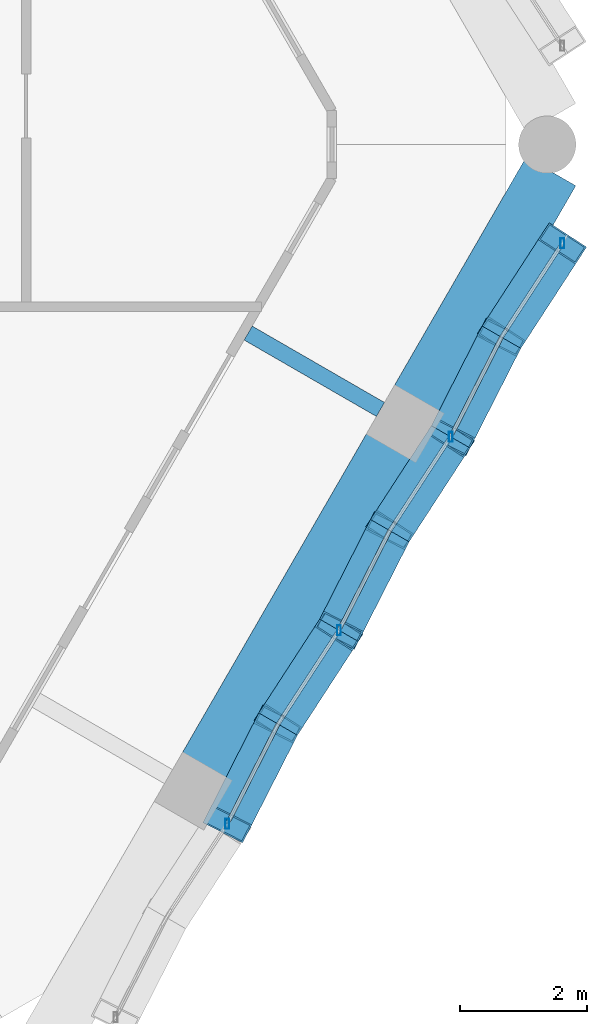
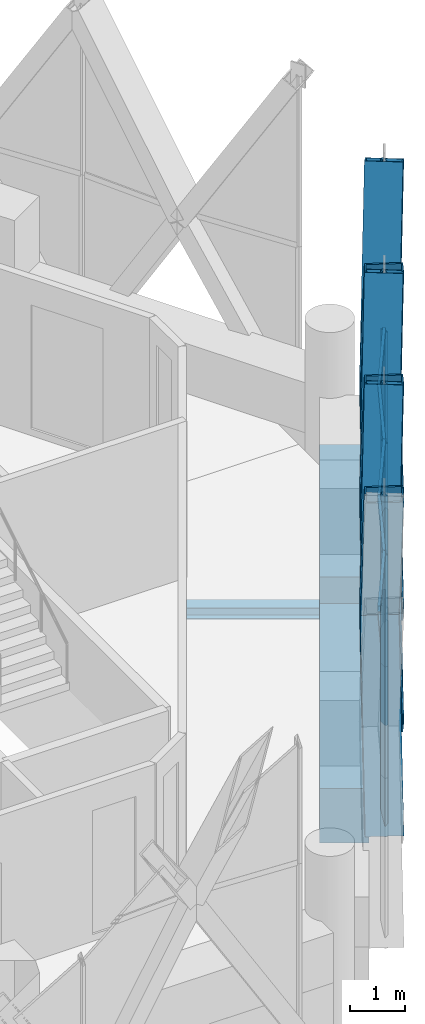
# One storey, part 11 of 27: 26 members, 3 beams, 2 elements without a shape of their own.
"""IFC4 building model written with IfcOpenShell, lengths in metres."""

from ifc_helpers import new_model, si_unit, direction, frame, origin, origin_2d, place, context, subcontext, project, spatial, rectangle, hollow_rectangle, i_section, extrude, material, material_profile, profile_set, type_object, element, aggregate, save


model = new_model("IFC4")

# Units and contexts
model_context = context("Model", 3, precision=1e-05, world=origin(), true_north=direction((0.0, 1.0)))
body_context = subcontext(model_context, "Body", "Model", "MODEL_VIEW")
ifc_project = project(units=[si_unit("LENGTHUNIT", "METRE"), si_unit("AREAUNIT", "SQUARE_METRE"), si_unit("VOLUMEUNIT", "CUBIC_METRE"), si_unit("PLANEANGLEUNIT", "RADIAN"), si_unit("MASSUNIT", "GRAM", prefix="KILO")], contexts=[model_context])

# Site, building, storey
site_placement = place(None, origin())
site = spatial("IfcSite", under=ifc_project, at=site_placement, CompositionType="ELEMENT")
building_placement = place(site_placement, origin())
building = spatial("IfcBuilding", under=site, at=building_placement, Name="Ostrander Bayou Hotel Tower", CompositionType="ELEMENT")
storey_placement = place(building_placement, frame((0.0, 0.0, 267.5)))
storey = spatial("IfcBuildingStorey", under=building, at=storey_placement, Name="L66", CompositionType="ELEMENT", Elevation=267.5)

# Curtain wall, members
ifc_material_1 = material(Name="Aluminium and clear glass", Category="aluminium")
curtain_wall_type = type_object("IfcCurtainWallType", Name="CW-LAT lattice glazing", PredefinedType="NOTDEFINED", material=ifc_material_1)
curtain_wall_1_placement = place(storey_placement, origin())
curtain_wall_1 = element("IfcCurtainWall", 1, at=curtain_wall_1_placement, inside=storey, type_object=curtain_wall_type, Name="CW-LAT L66 SE 1", PredefinedType="NOTDEFINED")
ifc_material_2 = material(Name="Aluminium", Category="aluminium")
ifc_material_profile_1 = material_profile(ifc_material_2, hollow_rectangle(XDim=0.06005859375, YDim=0.159912109375, WallThickness=0.00390625, at=origin_2d()))
ifc_profile_set_1 = profile_set([ifc_material_profile_1], Name="Aluminium")
member_type_1 = type_object("IfcMemberType", Name="CW-LA mullion 60 x 160 mm", PredefinedType="MULLION", material=ifc_profile_set_1)
member_1_placement = place(storey_placement, frame((13.4619140625, -11.823486328125, -0.60009765625), z_axis=(0.0, 0.0, 1.0), x_axis=(1.0, 0.0, 0.0)))
member_1 = element("IfcMember", 2, at=member_1_placement, type_object=member_type_1, Name="CW-LAT mullion 4", PredefinedType="MULLION", context=body_context, shape_type="SweptSolid", body=[
    extrude(hollow_rectangle(XDim=0.06005859375, YDim=0.159912109375, WallThickness=0.00390625, at=origin_2d()), origin(), (0.0, 0.0, 1.0), 3.75),
])
member_2_placement = place(storey_placement, frame((13.4619140625, -11.823486328125, 3.14990234375), z_axis=(0.0, 0.0, 1.0), x_axis=(1.0, 0.0, 0.0)))
member_2 = element("IfcMember", 3, at=member_2_placement, type_object=member_type_1, Name="CW-LAT mullion 5", PredefinedType="MULLION", context=body_context, shape_type="SweptSolid", body=[
    extrude(hollow_rectangle(XDim=0.06005859375, YDim=0.159912109375, WallThickness=0.00390625, at=origin_2d()), origin(), (0.0, 0.0, 1.0), 3.75),
])
member_3_placement = place(storey_placement, frame((15.216064453125, -8.784912109375, -0.60009765625), z_axis=(0.0, 0.0, 1.0), x_axis=(1.0, 0.0, 0.0)))
member_3 = element("IfcMember", 4, at=member_3_placement, type_object=member_type_1, Name="CW-LAT mullion 8", PredefinedType="MULLION", context=body_context, shape_type="SweptSolid", body=[
    extrude(hollow_rectangle(XDim=0.06005859375, YDim=0.159912109375, WallThickness=0.00390625, at=origin_2d()), origin(), (0.0, 0.0, 1.0), 3.75),
])
member_4_placement = place(storey_placement, frame((15.216064453125, -8.784912109375, 3.14990234375), z_axis=(0.0, 0.0, 1.0), x_axis=(1.0, 0.0, 0.0)))
member_4 = element("IfcMember", 5, at=member_4_placement, type_object=member_type_1, Name="CW-LAT mullion 9", PredefinedType="MULLION", context=body_context, shape_type="SweptSolid", body=[
    extrude(hollow_rectangle(XDim=0.06005859375, YDim=0.159912109375, WallThickness=0.00390625, at=origin_2d()), origin(), (0.0, 0.0, 1.0), 3.75),
])
member_5_placement = place(storey_placement, frame((16.970458984375, -5.74658203125, -0.60009765625), z_axis=(0.0, 0.0, 1.0), x_axis=(1.0, 0.0, 0.0)))
member_5 = element("IfcMember", 6, at=member_5_placement, type_object=member_type_1, Name="CW-LAT mullion 12", PredefinedType="MULLION", context=body_context, shape_type="SweptSolid", body=[
    extrude(hollow_rectangle(XDim=0.06005859375, YDim=0.159912109375, WallThickness=0.00390625, at=origin_2d()), origin(), (0.0, 0.0, 1.0), 3.75),
])
member_6_placement = place(storey_placement, frame((16.970458984375, -5.74658203125, 3.14990234375), z_axis=(0.0, 0.0, 1.0), x_axis=(1.0, 0.0, 0.0)))
member_6 = element("IfcMember", 7, at=member_6_placement, type_object=member_type_1, Name="CW-LAT mullion 13", PredefinedType="MULLION", context=body_context, shape_type="SweptSolid", body=[
    extrude(hollow_rectangle(XDim=0.06005859375, YDim=0.159912109375, WallThickness=0.00390625, at=origin_2d()), origin(), (0.0, 0.0, 1.0), 3.75),
])
member_7_placement = place(storey_placement, frame((18.724609375, -2.7080078125, -0.60009765625), z_axis=(0.0, 0.0, 1.0), x_axis=(1.0, 0.0, 0.0)))
member_7 = element("IfcMember", 8, at=member_7_placement, type_object=member_type_1, Name="CW-LAT mullion 16", PredefinedType="MULLION", context=body_context, shape_type="SweptSolid", body=[
    extrude(hollow_rectangle(XDim=0.06005859375, YDim=0.159912109375, WallThickness=0.00390625, at=origin_2d()), origin(), (0.0, 0.0, 1.0), 3.75),
])
member_8_placement = place(storey_placement, frame((18.724609375, -2.7080078125, 3.14990234375), z_axis=(0.0, 0.0, 1.0), x_axis=(1.0, 0.0, 0.0)))
member_8 = element("IfcMember", 9, at=member_8_placement, type_object=member_type_1, Name="CW-LAT mullion 17", PredefinedType="MULLION", context=body_context, shape_type="SweptSolid", body=[
    extrude(hollow_rectangle(XDim=0.06005859375, YDim=0.159912109375, WallThickness=0.00390625, at=origin_2d()), origin(), (0.0, 0.0, 1.0), 3.75),
])
aggregate(curtain_wall_1, [member_1, member_2, member_3, member_4, member_5, member_6, member_7, member_8])

curtain_wall_2_placement = place(storey_placement, origin())
curtain_wall_2 = element("IfcCurtainWall", 10, at=curtain_wall_2_placement, inside=storey, type_object=curtain_wall_type, Name="CW-LAT L66 SE 2", PredefinedType="NOTDEFINED")
ifc_material_3 = material(Name="Aluminium", Category="aluminium")
ifc_material_profile_2 = material_profile(ifc_material_3, hollow_rectangle(XDim=0.06005859375, YDim=0.1201171875, WallThickness=0.00390625, at=origin_2d()))
ifc_profile_set_2 = profile_set([ifc_material_profile_2], Name="Aluminium")
member_type_2 = type_object("IfcMemberType", Name="CW-LA transom 60 x 120 mm", PredefinedType="USERDEFINED", material=ifc_profile_set_2)
member_9_placement = place(storey_placement, frame((13.4619140625, -11.823486328125, 3.14990234375), z_axis=(0.453927863456, 0.891038436196, 0.0), x_axis=(-0.891038436196, 0.453927863456, 0.0)))
member_9 = element("IfcMember", 11, at=member_9_placement, type_object=member_type_2, Name="CW-LAT transom 7", ObjectType="TRANSOM", PredefinedType="USERDEFINED", context=body_context, shape_type="SweptSolid", body=[
    extrude(hollow_rectangle(XDim=0.06005859375, YDim=0.1201171875, WallThickness=0.00390625, at=origin_2d()), origin(), (0.0, 0.0, 1.0), 1.756591796875),
])
member_10_placement = place(storey_placement, frame((15.216064453125, -8.784912109375, 3.14990234375), z_axis=(-0.544621946318, -0.838681665228, 0.0), x_axis=(0.838681665228, -0.544621946318, 0.0)))
member_10 = element("IfcMember", 12, at=member_10_placement, type_object=member_type_2, Name="CW-LAT transom 10", ObjectType="TRANSOM", PredefinedType="USERDEFINED", context=body_context, shape_type="SweptSolid", body=[
    extrude(hollow_rectangle(XDim=0.06005859375, YDim=0.1201171875, WallThickness=0.00390625, at=origin_2d()), origin(), (0.0, 0.0, 1.0), 1.7568359375),
])
member_11_placement = place(storey_placement, frame((15.216064453125, -8.784912109375, 3.14990234375), z_axis=(0.454038200777, 0.890982217687, 0.0), x_axis=(-0.890982217687, 0.454038200777, 0.0)))
member_11 = element("IfcMember", 13, at=member_11_placement, type_object=member_type_2, Name="CW-LAT transom 11", ObjectType="TRANSOM", PredefinedType="USERDEFINED", context=body_context, shape_type="SweptSolid", body=[
    extrude(hollow_rectangle(XDim=0.06005859375, YDim=0.1201171875, WallThickness=0.00390625, at=origin_2d()), origin(), (0.0, 0.0, 1.0), 1.756591796875),
])
member_12_placement = place(storey_placement, frame((16.970458984375, -5.74658203125, 3.14990234375), z_axis=(-0.544685428538, -0.838640437815, 0.0), x_axis=(0.838640437815, -0.544685428538, 0.0)))
member_12 = element("IfcMember", 14, at=member_12_placement, type_object=member_type_2, Name="CW-LAT transom 14", ObjectType="TRANSOM", PredefinedType="USERDEFINED", context=body_context, shape_type="SweptSolid", body=[
    extrude(hollow_rectangle(XDim=0.06005859375, YDim=0.1201171875, WallThickness=0.00390625, at=origin_2d()), origin(), (0.0, 0.0, 1.0), 1.756591796875),
])
member_13_placement = place(storey_placement, frame((16.970458984375, -5.74658203125, 3.14990234375), z_axis=(0.453927863456, 0.891038436196, 0.0), x_axis=(-0.891038436196, 0.453927863456, 0.0)))
member_13 = element("IfcMember", 15, at=member_13_placement, type_object=member_type_2, Name="CW-LAT transom 15", ObjectType="TRANSOM", PredefinedType="USERDEFINED", context=body_context, shape_type="SweptSolid", body=[
    extrude(hollow_rectangle(XDim=0.06005859375, YDim=0.1201171875, WallThickness=0.00390625, at=origin_2d()), origin(), (0.0, 0.0, 1.0), 1.756591796875),
])
member_14_placement = place(storey_placement, frame((18.724609375, -2.7080078125, 3.14990234375), z_axis=(-0.544621946318, -0.838681665228, 0.0), x_axis=(0.838681665228, -0.544621946318, 0.0)))
member_14 = element("IfcMember", 16, at=member_14_placement, type_object=member_type_2, Name="CW-LAT transom 18", ObjectType="TRANSOM", PredefinedType="USERDEFINED", context=body_context, shape_type="SweptSolid", body=[
    extrude(hollow_rectangle(XDim=0.06005859375, YDim=0.1201171875, WallThickness=0.00390625, at=origin_2d()), origin(), (0.0, 0.0, 1.0), 1.7568359375),
])
aggregate(curtain_wall_2, [member_9, member_10, member_11, member_12, member_13, member_14])

# Beam
ifc_material_4 = material(Name="Steel ASTM A992", Category="steel")
ifc_material_profile_3 = material_profile(ifc_material_4, i_section(OverallWidth=0.25390625, OverallDepth=0.25341796875, WebThickness=0.008544921875, FlangeThickness=0.01416015625, at=origin_2d()))
ifc_profile_set_3 = profile_set([ifc_material_profile_3], Name="Steel ASTM A992")
beam_type_1 = type_object("IfcBeamType", Name="LB2 loggia bracket W10x49", PredefinedType="BEAM", material=ifc_profile_set_3)
beam_1_placement = place(storey_placement, frame((15.867431640625, -5.316650390625, -0.4267578125), z_axis=(-0.866024647952, 0.500001309137, 0.0), x_axis=(-0.500001309137, -0.866024647952, 0.0)))
element("IfcBeam", 17, at=beam_1_placement, inside=storey, type_object=beam_type_1, Name="LB2 L66 SE2", PredefinedType="BEAM", context=body_context, shape_type="SweptSolid", body=[
    extrude(i_section(OverallWidth=0.25390625, OverallDepth=0.25341796875, WebThickness=0.008544921875, FlangeThickness=0.01416015625, at=origin_2d()), origin(), (0.0, 0.0, 1.0), 2.39990234375),
])

# Members
ifc_material_5 = material(Name="Steel ASTM A572 Gr 50", Category="steel")
ifc_material_profile_4 = material_profile(ifc_material_5, hollow_rectangle(XDim=0.699951171875, YDim=0.35009765625, WallThickness=0.02490234375, at=origin_2d()))
ifc_profile_set_4 = profile_set([ifc_material_profile_4], Name="Steel ASTM A572 Gr 50")
member_type_3 = type_object("IfcMemberType", Name="LT1 lattice member box 700 x 350 x 25 mm", PredefinedType="BRACE", material=ifc_profile_set_4)
for number, where, z_axis, x_axis, name in (
    (18, (14.25927734375, -10.25830078125, 3.14990234375), (-0.192552120059, -0.37797049654, -0.905572738551), (0.891038436196, -0.453927863456, 0.0), "LT1 L66 SE 5"),
    (19, (14.25927734375, -10.25830078125, 3.14990234375), (-0.192552120059, -0.37797049654, 0.905572738551), (0.891038436196, -0.453927863456, 0.0), "LT1 L66 SE 6"),
    (20, (14.25927734375, -10.25830078125, 3.14990234375), (0.231045890521, 0.35579534302, -0.905553681655), (-0.838681665228, 0.544621946318, 0.0), "LT1 L66 SE 7"),
    (21, (14.25927734375, -10.25830078125, 3.14990234375), (0.231045890521, 0.35579534302, 0.905553681655), (-0.838681665228, 0.544621946318, 0.0), "LT1 L66 SE 8"),
    (22, (16.013671875, -7.2197265625, 3.14990234375), (-0.192608889759, -0.377966205155, -0.9055624569), (0.890982217687, -0.454038200777, 0.0), "LT1 L66 SE 9"),
    (23, (16.013671875, -7.2197265625, 3.14990234375), (-0.192608889759, -0.377966205155, 0.9055624569), (0.890982217687, -0.454038200777, 0.0), "LT1 L66 SE 10"),
    (24, (16.013671875, -7.2197265625, 3.14990234375), (0.231050736697, 0.355743849255, -0.905572675598), (-0.838640437815, 0.544685428538, 0.0), "LT1 L66 SE 11"),
    (25, (16.013671875, -7.2197265625, 3.14990234375), (0.231050736697, 0.355743849255, 0.905572675598), (-0.838640437815, 0.544685428538, 0.0), "LT1 L66 SE 12"),
    (26, (17.767822265625, -4.181396484375, 3.14990234375), (-0.192552120059, -0.37797049654, -0.905572738551), (0.891038436196, -0.453927863456, 0.0), "LT1 L66 SE 13"),
    (27, (17.767822265625, -4.181396484375, 3.14990234375), (-0.192552120059, -0.37797049654, 0.905572738551), (0.891038436196, -0.453927863456, 0.0), "LT1 L66 SE 14"),
    (28, (17.767822265625, -4.181396484375, 3.14990234375), (0.231045890521, 0.35579534302, -0.905553681655), (-0.838681665228, 0.544621946318, 0.0), "LT1 L66 SE 15"),
    (29, (17.767822265625, -4.181396484375, 3.14990234375), (0.231045890521, 0.35579534302, 0.905553681655), (-0.838681665228, 0.544621946318, 0.0), "LT1 L66 SE 16"),
):
    element("IfcMember", number, at=place(storey_placement, frame(where, z_axis=z_axis, x_axis=x_axis)), inside=storey, type_object=member_type_3, Name=name, PredefinedType="BRACE", context=body_context, shape_type="SweptSolid", body=[
        extrude(hollow_rectangle(XDim=0.699951171875, YDim=0.35009765625, WallThickness=0.02490234375, at=origin_2d()), origin(), (0.0, 0.0, 1.0), 4.14111328125),
    ])

# Beams
ifc_material_6 = material(Name="Concrete f'c 60 MPa", Category="concrete")
ifc_material_profile_5 = material_profile(ifc_material_6, rectangle(XDim=0.89990234375, YDim=1.199951171875, at=origin_2d()))
ifc_profile_set_5 = profile_set([ifc_material_profile_5], Name="Concrete f'c 60 MPa")
beam_type_2 = type_object("IfcBeamType", Name="SP4 spandrel beam 900 x 1200 mm f'c 60 MPa", PredefinedType="SPANDREL", material=ifc_profile_set_5)
beam_2_placement = place(storey_placement, frame((13.1376953125, -10.944580078125, -0.60009765625), z_axis=(0.500015433515, 0.866016493057, 0.0), x_axis=(-0.866016493057, 0.500015433515, 0.0)))
element("IfcBeam", 30, at=beam_2_placement, inside=storey, type_object=beam_type_2, Name="SP4 L66 SE-2", PredefinedType="SPANDREL", context=body_context, shape_type="SweptSolid", body=[
    extrude(rectangle(XDim=0.89990234375, YDim=1.199951171875, at=origin_2d()), origin(), (0.0, 0.0, 1.0), 5.818603515625),
])
beam_3_placement = place(storey_placement, frame((16.46728515625, -5.177978515625, -0.60009765625), z_axis=(0.499980071345, 0.866036909293, 0.0), x_axis=(-0.866036909293, 0.499980071345, 0.0)))
element("IfcBeam", 31, at=beam_3_placement, inside=storey, type_object=beam_type_2, Name="SP4 L66 SE-3", PredefinedType="SPANDREL", context=body_context, shape_type="SweptSolid", body=[
    extrude(rectangle(XDim=0.89990234375, YDim=1.199951171875, at=origin_2d()), origin(), (0.0, 0.0, 1.0), 4.156494140625),
])

save(model, "model.ifc")
